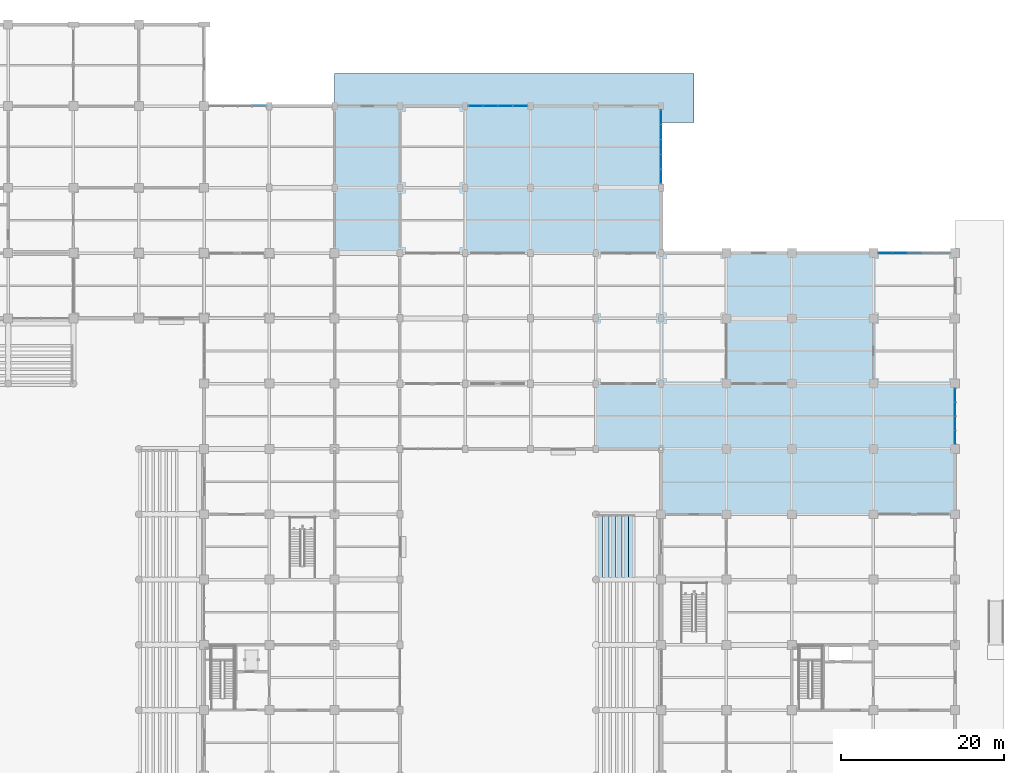
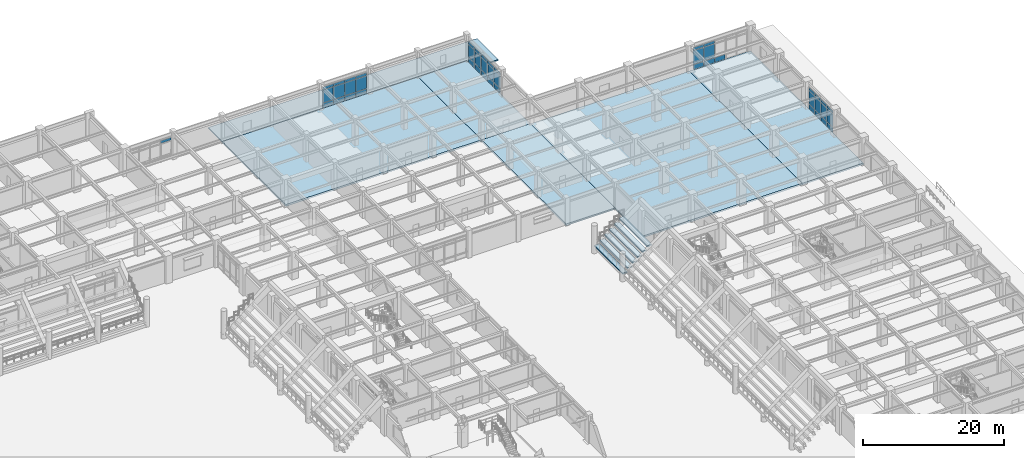
# One storey, part 71 of 125: 47 plates, 12 slabs, 5 elements without a shape of their own.
"""IFC4 building model written with IfcOpenShell, lengths in metres."""

import ifcopenshell
import ifcopenshell.guid

model = None  # the IFC model being written
_history = None  # IfcOwnerHistory: only IFC2X3 demands one
_inside = {}  # id of a spatial element -> (the spatial element, [elements in it])
_under = {}  # id of a project, library or spatial element -> (it, [spatial elements below it])
_declared = {}  # id of a project -> (the project, [libraries it declares])
_typed = {}  # id of a type object -> (the type object, [elements of that type])
_made_of = {}  # id of a material, layer set ... -> (it, [elements and type objects made of it])


def new_model(schema):
    """Start an empty IFC model of exactly this schema.

    Asked for "IFC4X3", IfcOpenShell would pick the latest addendum, in which some entities
    have other attributes; the version numbers below select the first issue.
    IFC2X3 requires an IfcOwnerHistory on every rooted entity: one is made here for all.
    """
    global model, _history
    if schema == "IFC4X3":
        model = ifcopenshell.file(schema_version=(4, 3, 0, 0))
    else:
        model = ifcopenshell.file(schema=schema)
    _inside.clear()
    _under.clear()
    _declared.clear()
    _typed.clear()
    _made_of.clear()
    _history = None
    if model.schema == "IFC2X3":
        org = make("IfcOrganization", Name="unknown")
        user = make(
            "IfcPersonAndOrganization",
            ThePerson=make("IfcPerson", FamilyName="unknown"),
            TheOrganization=org,
        )
        app = make(
            "IfcApplication",
            ApplicationDeveloper=org,
            Version="unknown",
            ApplicationFullName="unknown",
            ApplicationIdentifier="unknown",
        )
        _history = make(
            "IfcOwnerHistory",
            OwningUser=user,
            OwningApplication=app,
            ChangeAction="ADDED",
            CreationDate=0,
        )
    return model


def make(cls, **values):
    """One entity of the class cls with the attributes given. An attribute that is None is left unset."""
    return model.create_entity(
        cls, **{name: value for name, value in values.items() if value is not None}
    )


def rooted(cls, **values):
    """An entity with a GlobalId (a new one), such as an element, a storey or a relation."""
    return make(cls, GlobalId=ifcopenshell.guid.new(), OwnerHistory=_history, **values)


def si_unit(unit_type, name, prefix=None):
    """IfcSIUnit, for example si_unit("LENGTHUNIT", "METRE", prefix="MILLI")."""
    return make("IfcSIUnit", UnitType=unit_type, Prefix=prefix, Name=name)


def assignment(units):
    """IfcUnitAssignment: the units of a project."""
    return None if units is None else make("IfcUnitAssignment", Units=units)


def point(xyz):
    """IfcCartesianPoint."""
    return None if xyz is None else make("IfcCartesianPoint", Coordinates=xyz)


def direction(xyz):
    """IfcDirection."""
    return None if xyz is None else make("IfcDirection", DirectionRatios=xyz)


def frame(location, z_axis=None, x_axis=None):
    """IfcAxis2Placement3D, a coordinate frame: its origin and axes. An axis left out is left unset."""
    return make(
        "IfcAxis2Placement3D",
        Location=point(location),
        Axis=direction(z_axis),
        RefDirection=direction(x_axis),
    )


def frame_2d(location, x_axis=None):
    """IfcAxis2Placement2D, a coordinate frame in the plane: its origin and x axis."""
    return make(
        "IfcAxis2Placement2D", Location=point(location), RefDirection=direction(x_axis)
    )


def origin():
    """The frame at (0, 0, 0) with its axes left unset."""
    return frame((0.0, 0.0, 0.0))


def origin_2d():
    """The frame at (0, 0) in the plane with its x axis left unset."""
    return frame_2d((0.0, 0.0))


def place(relative_to, where):
    """IfcLocalPlacement: puts the frame where relative to a parent placement (None: the world)."""
    return make(
        "IfcLocalPlacement", PlacementRelTo=relative_to, RelativePlacement=where
    )


def context(
    kind, dimensions, precision=None, world=None, true_north=None, identifier=None
):
    """IfcGeometricRepresentationContext, for example the 3D "Model" context."""
    return make(
        "IfcGeometricRepresentationContext",
        ContextIdentifier=identifier,
        ContextType=kind,
        CoordinateSpaceDimension=dimensions,
        Precision=precision,
        WorldCoordinateSystem=world,
        TrueNorth=true_north,
    )


def subcontext(parent, identifier, kind, view, scale=None):
    """IfcGeometricRepresentationSubContext, for example "Body" below "Model"."""
    return make(
        "IfcGeometricRepresentationSubContext",
        ContextIdentifier=identifier,
        ContextType=kind,
        ParentContext=parent,
        TargetScale=scale,
        TargetView=view,
    )


def project(units=None, contexts=None):
    """IfcProject with its units and contexts."""
    return rooted(
        "IfcProject",
        Name="project",
        RepresentationContexts=contexts,
        UnitsInContext=assignment(units),
    )


def spatial(cls, under=None, at=None, **own):
    """A site, building, storey or space (cls), placed at a placement, below another one or the project."""
    s = rooted(cls, ObjectPlacement=at, **own)
    if under is not None:
        _under.setdefault(under.id(), (under, []))[1].append(s)
    return s


def polyline(points):
    """IfcPolyline through the points."""
    return make("IfcPolyline", Points=[point(p) for p in points])


def profile(cls, at=None, kind="AREA", **sizes):
    """A parametric profile (cls). Its sizes go by their IFC names, for example OverallWidth=200.0."""
    return make(cls, ProfileType=kind, Position=at, **sizes)


def rectangle(**sizes):
    """IfcRectangleProfileDef."""
    return profile("IfcRectangleProfileDef", **sizes)


def outline(outer, holes=None, kind="AREA"):
    """IfcArbitraryClosedProfileDef: a profile drawn as a closed curve; with holes, ...WithVoids."""
    if holes is None:
        return make("IfcArbitraryClosedProfileDef", ProfileType=kind, OuterCurve=outer)
    return make(
        "IfcArbitraryProfileDefWithVoids",
        ProfileType=kind,
        OuterCurve=outer,
        InnerCurves=holes,
    )


def extrude(swept, where, along, depth):
    """IfcExtrudedAreaSolid: the profile swept, set in the frame where, extruded along a direction by depth."""
    return make(
        "IfcExtrudedAreaSolid",
        SweptArea=swept,
        Position=where,
        ExtrudedDirection=direction(along),
        Depth=depth,
    )


def shape(context_of_items, identifier, shape_type, items):
    """IfcShapeRepresentation: the items that make up one representation, for example the "Body"."""
    return make(
        "IfcShapeRepresentation",
        ContextOfItems=context_of_items,
        RepresentationIdentifier=identifier,
        RepresentationType=shape_type,
        Items=items,
    )


def material(Name=None, Category=None):
    """IfcMaterial."""
    return make("IfcMaterial", Name=Name, Category=Category)


def layer(
    of_material, thickness, ventilated=None, Name=None, Category=None, Priority=None
):
    """IfcMaterialLayer: one layer of a wall or slab, of a material (None: an air gap)."""
    return make(
        "IfcMaterialLayer",
        Material=of_material,
        LayerThickness=thickness,
        IsVentilated=ventilated,
        Name=Name,
        Category=Category,
        Priority=Priority,
    )


def layer_set(layers, Name=None):
    """IfcMaterialLayerSet."""
    return make("IfcMaterialLayerSet", MaterialLayers=layers, LayerSetName=Name)


def made_of(thing, what):
    """Note that an element or type object is made of a material, layer set ...; save() writes the relation."""
    if what is not None:
        _made_of.setdefault(what.id(), (what, []))[1].append(thing)
    return thing


def type_object(cls, material=None, **own):
    """A type object (cls), such as IfcWallType, which elements share."""
    return made_of(rooted(cls, **own), material)


def element(
    cls,
    number,
    at=None,
    inside=None,
    cuts=None,
    type_object=None,
    material=None,
    context=None,
    identifier="Body",
    shape_type=None,
    held_by="IfcProductDefinitionShape",
    body=None,
    shapes=None,
    **own,
):
    """One element of the class cls, such as IfcWall. Its Tag is "e" and its number.

    at: its placement. inside: the storey or other place that contains it. cuts: it is an
    opening in that element (IfcRelVoidsElement). A single representation is given by context,
    identifier, shape_type and body (its items); several are given by shapes. held_by: the class
    of the entity that holds the representations. save() writes the other relations.
    """
    e = rooted(cls, Tag="e%d" % number, ObjectPlacement=at, **own)
    if body is not None:
        shapes = [shape(context, identifier, shape_type, body)]
    if shapes is not None:
        e.Representation = make(held_by, Representations=shapes)
    if inside is not None:
        _inside.setdefault(inside.id(), (inside, []))[1].append(e)
    if cuts is not None:
        rooted(
            "IfcRelVoidsElement", RelatingBuildingElement=cuts, RelatedOpeningElement=e
        )
    if type_object is not None:
        _typed.setdefault(type_object.id(), (type_object, []))[1].append(e)
    return made_of(e, material)


def aggregate(whole, parts):
    """IfcRelAggregates: a whole, such as a stair, and the parts it consists of."""
    return rooted("IfcRelAggregates", RelatingObject=whole, RelatedObjects=parts)


def save(model, path):
    """Write the relations noted so far, then the file.

    IfcRelAggregates (storeys below a building ...), IfcRelContainedInSpatialStructure (elements
    in a storey), IfcRelDefinesByType, IfcRelAssociatesMaterial and IfcRelDeclares: one each for
    every whole, place, type object, material and project.
    """
    for whole, parts in _under.values():
        aggregate(whole, parts)
    for where, things in _inside.values():
        rooted(
            "IfcRelContainedInSpatialStructure",
            RelatedElements=things,
            RelatingStructure=where,
        )
    for kind, things in _typed.values():
        rooted("IfcRelDefinesByType", RelatedObjects=things, RelatingType=kind)
    for what, things in _made_of.values():
        rooted("IfcRelAssociatesMaterial", RelatedObjects=things, RelatingMaterial=what)
    for by, libraries in _declared.values():
        rooted("IfcRelDeclares", RelatingContext=by, RelatedDefinitions=libraries)
    model.write(path)


model = new_model("IFC4")

# Units and contexts
model_context = context("Model", 3, precision=1e-05, world=origin(), true_north=direction((0.0, 1.0)))
body_context = subcontext(model_context, "Body", "Model", "MODEL_VIEW")
ifc_project = project(units=[si_unit("LENGTHUNIT", "METRE"), si_unit("AREAUNIT", "SQUARE_METRE"), si_unit("VOLUMEUNIT", "CUBIC_METRE"), si_unit("PLANEANGLEUNIT", "RADIAN"), si_unit("MASSUNIT", "GRAM", prefix="KILO")], contexts=[model_context])

# Site, building, storey
site_placement = place(None, origin())
site = spatial("IfcSite", under=ifc_project, at=site_placement, CompositionType="ELEMENT")
building_placement = place(site_placement, origin())
building = spatial("IfcBuilding", under=site, at=building_placement, Name="Haebicheon Civic Stadium", CompositionType="ELEMENT")
storey_placement = place(building_placement, origin())
storey = spatial("IfcBuildingStorey", under=building, at=storey_placement, Name="L01", CompositionType="ELEMENT", Elevation=0.0)

# Curtain wall, plates
ifc_material_1 = material(Name="Anodised aluminium and laminated glass", Category="aluminium")
ifc_layer_1 = layer(ifc_material_1, 0.179931640625, Name="Anodised aluminium and laminated glass")
ifc_layer_set_1 = layer_set([ifc_layer_1], Name="Anodised aluminium and laminated glass")
curtain_wall_type_1 = type_object("IfcCurtainWallType", Name="CW-7300x3710", PredefinedType="NOTDEFINED", material=ifc_layer_set_1)
curtain_wall_1_placement = place(storey_placement, origin())
curtain_wall_1 = element("IfcCurtainWall", 1, at=curtain_wall_1_placement, inside=storey, type_object=curtain_wall_type_1, material=ifc_layer_set_1, Name="L01 unitised curtain wall 022", PredefinedType="NOTDEFINED")
ifc_material_2 = material(Name="Double low-e laminated glass", Category="glass")
ifc_layer_2 = layer(ifc_material_2, 0.028076171875, Name="Double low-e laminated glass")
ifc_layer_set_2 = layer_set([ifc_layer_2], Name="Double low-e laminated glass")
plate_type_1 = type_object("IfcPlateType", Name="CWP-GLZ-28", PredefinedType="CURTAIN_PANEL", material=ifc_layer_set_2)
plate_1_placement = place(storey_placement, frame((177.281982421875, 178.0, 0.93994140625), z_axis=(0.0, 0.0, 1.0), x_axis=(1.0, 0.0, 0.0)))
plate_1 = element("IfcPlate", 2, at=plate_1_placement, type_object=plate_type_1, material=ifc_layer_set_2, Name="CW-L01-022 vision panel 1.2", PredefinedType="CURTAIN_PANEL", context=body_context, shape_type="SweptSolid", body=[
    extrude(rectangle(XDim=1.705078125, YDim=0.028076171875, at=origin_2d()), origin(), (0.0, 0.0, 1.0), 2.179931640625),
])
plate_2_placement = place(storey_placement, frame((179.087890625, 178.0, 0.93994140625), z_axis=(0.0, 0.0, 1.0), x_axis=(1.0, 0.0, 0.0)))
plate_2 = element("IfcPlate", 3, at=plate_2_placement, type_object=plate_type_1, material=ifc_layer_set_2, Name="CW-L01-022 vision panel 2.2", PredefinedType="CURTAIN_PANEL", context=body_context, shape_type="SweptSolid", body=[
    extrude(rectangle(XDim=1.7451171875, YDim=0.028076171875, at=origin_2d()), origin(), (0.0, 0.0, 1.0), 2.179931640625),
])
plate_3_placement = place(storey_placement, frame((180.912109375, 178.0, 0.93994140625), z_axis=(0.0, 0.0, 1.0), x_axis=(1.0, 0.0, 0.0)))
plate_3 = element("IfcPlate", 4, at=plate_3_placement, type_object=plate_type_1, material=ifc_layer_set_2, Name="CW-L01-022 vision panel 3.2", PredefinedType="CURTAIN_PANEL", context=body_context, shape_type="SweptSolid", body=[
    extrude(rectangle(XDim=1.7451171875, YDim=0.028076171875, at=origin_2d()), origin(), (0.0, 0.0, 1.0), 2.179931640625),
])
plate_4_placement = place(storey_placement, frame((182.718017578125, 178.0, 0.93994140625), z_axis=(0.0, 0.0, 1.0), x_axis=(1.0, 0.0, 0.0)))
plate_4 = element("IfcPlate", 5, at=plate_4_placement, type_object=plate_type_1, material=ifc_layer_set_2, Name="CW-L01-022 vision panel 4.2", PredefinedType="CURTAIN_PANEL", context=body_context, shape_type="SweptSolid", body=[
    extrude(rectangle(XDim=1.705078125, YDim=0.028076171875, at=origin_2d()), origin(), (0.0, 0.0, 1.0), 2.179931640625),
])

ifc_material_3 = material(Name="Anodised aluminium and laminated glass", Category="aluminium")
ifc_layer_3 = layer(ifc_material_3, 0.179931640625, Name="Anodised aluminium and laminated glass")
ifc_layer_set_3 = layer_set([ifc_layer_3], Name="Anodised aluminium and laminated glass")
curtain_wall_type_2 = type_object("IfcCurtainWallType", Name="CW-9100x3660", PredefinedType="NOTDEFINED", material=ifc_layer_set_3)
curtain_wall_2_placement = place(storey_placement, origin())
curtain_wall_2 = element("IfcCurtainWall", 6, at=curtain_wall_2_placement, inside=storey, type_object=curtain_wall_type_2, material=ifc_layer_set_3, Name="L01 unitised curtain wall 024", PredefinedType="NOTDEFINED")
plate_5_placement = place(storey_placement, frame((200.0, 169.3798828125, 0.93994140625), z_axis=(0.0, 0.0, 1.0), x_axis=(0.0, 1.0, 0.0)))
plate_5 = element("IfcPlate", 7, at=plate_5_placement, type_object=plate_type_1, material=ifc_layer_set_2, Name="CW-L01-024 vision panel 1.2", PredefinedType="CURTAIN_PANEL", context=body_context, shape_type="SweptSolid", body=[
    extrude(rectangle(XDim=1.699951171875, YDim=0.028076171875, at=origin_2d()), origin(), (0.0, 0.0, 1.0), 2.1298828125),
])
plate_6_placement = place(storey_placement, frame((200.0, 171.179931640625, 0.93994140625), z_axis=(0.0, 0.0, 1.0), x_axis=(0.0, 1.0, 0.0)))
plate_6 = element("IfcPlate", 8, at=plate_6_placement, type_object=plate_type_1, material=ifc_layer_set_2, Name="CW-L01-024 vision panel 2.2", PredefinedType="CURTAIN_PANEL", context=body_context, shape_type="SweptSolid", body=[
    extrude(rectangle(XDim=1.739990234375, YDim=0.028076171875, at=origin_2d()), origin(), (0.0, 0.0, 1.0), 2.1298828125),
])
plate_7_placement = place(storey_placement, frame((200.0, 173.0, 0.93994140625), z_axis=(0.0, 0.0, 1.0), x_axis=(0.0, 1.0, 0.0)))
plate_7 = element("IfcPlate", 9, at=plate_7_placement, type_object=plate_type_1, material=ifc_layer_set_2, Name="CW-L01-024 vision panel 3.2", PredefinedType="CURTAIN_PANEL", context=body_context, shape_type="SweptSolid", body=[
    extrude(rectangle(XDim=1.739990234375, YDim=0.028076171875, at=origin_2d()), origin(), (0.0, 0.0, 1.0), 2.1298828125),
])
plate_8_placement = place(storey_placement, frame((200.0, 174.820068359375, 0.93994140625), z_axis=(0.0, 0.0, 1.0), x_axis=(0.0, 1.0, 0.0)))
plate_8 = element("IfcPlate", 10, at=plate_8_placement, type_object=plate_type_1, material=ifc_layer_set_2, Name="CW-L01-024 vision panel 4.2", PredefinedType="CURTAIN_PANEL", context=body_context, shape_type="SweptSolid", body=[
    extrude(rectangle(XDim=1.739990234375, YDim=0.028076171875, at=origin_2d()), origin(), (0.0, 0.0, 1.0), 2.1298828125),
])
plate_9_placement = place(storey_placement, frame((200.0, 176.6201171875, 0.93994140625), z_axis=(0.0, 0.0, 1.0), x_axis=(0.0, 1.0, 0.0)))
plate_9 = element("IfcPlate", 11, at=plate_9_placement, type_object=plate_type_1, material=ifc_layer_set_2, Name="CW-L01-024 vision panel 5.2", PredefinedType="CURTAIN_PANEL", context=body_context, shape_type="SweptSolid", body=[
    extrude(rectangle(XDim=1.699951171875, YDim=0.028076171875, at=origin_2d()), origin(), (0.0, 0.0, 1.0), 2.1298828125),
])

ifc_material_4 = material(Name="Anodised aluminium and laminated glass", Category="aluminium")
ifc_layer_4 = layer(ifc_material_4, 0.179931640625, Name="Anodised aluminium and laminated glass")
ifc_layer_set_4 = layer_set([ifc_layer_4], Name="Anodised aluminium and laminated glass")
curtain_wall_type_3 = type_object("IfcCurtainWallType", Name="CW-6900x3810", PredefinedType="NOTDEFINED", material=ifc_layer_set_4)
curtain_wall_3_placement = place(storey_placement, origin())
curtain_wall_3 = element("IfcCurtainWall", 12, at=curtain_wall_3_placement, inside=storey, type_object=curtain_wall_type_3, material=ifc_layer_set_4, Name="L01 unitised curtain wall 028", PredefinedType="NOTDEFINED")
plate_10_placement = place(storey_placement, frame((236.0, 137.431884765625, 0.93994140625), z_axis=(0.0, 0.0, 1.0), x_axis=(0.0, 1.0, 0.0)))
plate_10 = element("IfcPlate", 13, at=plate_10_placement, type_object=plate_type_1, material=ifc_layer_set_2, Name="CW-L01-028 vision panel 1.2", PredefinedType="CURTAIN_PANEL", context=body_context, shape_type="SweptSolid", body=[
    extrude(rectangle(XDim=1.60498046875, YDim=0.028076171875, at=origin_2d()), origin(), (0.0, 0.0, 1.0), 2.280029296875),
])
plate_11_placement = place(storey_placement, frame((236.0, 139.137939453125, 0.93994140625), z_axis=(0.0, 0.0, 1.0), x_axis=(0.0, 1.0, 0.0)))
plate_11 = element("IfcPlate", 14, at=plate_11_placement, type_object=plate_type_1, material=ifc_layer_set_2, Name="CW-L01-028 vision panel 2.2", PredefinedType="CURTAIN_PANEL", context=body_context, shape_type="SweptSolid", body=[
    extrude(rectangle(XDim=1.64501953125, YDim=0.028076171875, at=origin_2d()), origin(), (0.0, 0.0, 1.0), 2.280029296875),
])
plate_12_placement = place(storey_placement, frame((236.0, 140.862060546875, 0.93994140625), z_axis=(0.0, 0.0, 1.0), x_axis=(0.0, 1.0, 0.0)))
plate_12 = element("IfcPlate", 15, at=plate_12_placement, type_object=plate_type_1, material=ifc_layer_set_2, Name="CW-L01-028 vision panel 3.2", PredefinedType="CURTAIN_PANEL", context=body_context, shape_type="SweptSolid", body=[
    extrude(rectangle(XDim=1.64501953125, YDim=0.028076171875, at=origin_2d()), origin(), (0.0, 0.0, 1.0), 2.280029296875),
])
plate_13_placement = place(storey_placement, frame((236.0, 142.568115234375, 0.93994140625), z_axis=(0.0, 0.0, 1.0), x_axis=(0.0, 1.0, 0.0)))
plate_13 = element("IfcPlate", 16, at=plate_13_placement, type_object=plate_type_1, material=ifc_layer_set_2, Name="CW-L01-028 vision panel 4.2", PredefinedType="CURTAIN_PANEL", context=body_context, shape_type="SweptSolid", body=[
    extrude(rectangle(XDim=1.60498046875, YDim=0.028076171875, at=origin_2d()), origin(), (0.0, 0.0, 1.0), 2.280029296875),
])

ifc_material_5 = material(Name="Anodised aluminium and laminated glass", Category="aluminium")
ifc_layer_5 = layer(ifc_material_5, 0.179931640625, Name="Anodised aluminium and laminated glass")
ifc_layer_set_5 = layer_set([ifc_layer_5], Name="Anodised aluminium and laminated glass")
curtain_wall_type_4 = type_object("IfcCurtainWallType", Name="CW-8900x3870", PredefinedType="NOTDEFINED", material=ifc_layer_set_5)
curtain_wall_4_placement = place(storey_placement, origin())
curtain_wall_4 = element("IfcCurtainWall", 17, at=curtain_wall_4_placement, inside=storey, type_object=curtain_wall_type_4, material=ifc_layer_set_5, Name="L01 unitised curtain wall 029", PredefinedType="NOTDEFINED")
plate_14_placement = place(storey_placement, frame((227.4599609375, 160.0, 0.93994140625), z_axis=(0.0, 0.0, 1.0), x_axis=(1.0, 0.0, 0.0)))
plate_14 = element("IfcPlate", 18, at=plate_14_placement, type_object=plate_type_1, material=ifc_layer_set_2, Name="CW-L01-029 vision panel 1.2", PredefinedType="CURTAIN_PANEL", context=body_context, shape_type="SweptSolid", body=[
    extrude(rectangle(XDim=1.659912109375, YDim=0.028076171875, at=origin_2d()), origin(), (0.0, 0.0, 1.0), 2.340087890625),
])
plate_15_placement = place(storey_placement, frame((229.219970703125, 160.0, 0.93994140625), z_axis=(0.0, 0.0, 1.0), x_axis=(1.0, 0.0, 0.0)))
plate_15 = element("IfcPlate", 19, at=plate_15_placement, type_object=plate_type_1, material=ifc_layer_set_2, Name="CW-L01-029 vision panel 2.2", PredefinedType="CURTAIN_PANEL", context=body_context, shape_type="SweptSolid", body=[
    extrude(rectangle(XDim=1.699951171875, YDim=0.028076171875, at=origin_2d()), origin(), (0.0, 0.0, 1.0), 2.340087890625),
])

# Curtain wall, plate
ifc_material_6 = material(Name="Anodised aluminium and laminated glass", Category="aluminium")
ifc_layer_6 = layer(ifc_material_6, 0.179931640625, Name="Anodised aluminium and laminated glass")
ifc_layer_set_6 = layer_set([ifc_layer_6], Name="Anodised aluminium and laminated glass")
curtain_wall_type_5 = type_object("IfcCurtainWallType", Name="CW-7100x3710", PredefinedType="NOTDEFINED", material=ifc_layer_set_6)
curtain_wall_5_placement = place(storey_placement, origin())
curtain_wall_5 = element("IfcCurtainWall", 20, at=curtain_wall_5_placement, inside=storey, type_object=curtain_wall_type_5, material=ifc_layer_set_6, Name="L01 unitised curtain wall 017", PredefinedType="NOTDEFINED")
ifc_material_7 = material(Name="Anodised aluminium 6063-T6", Category="aluminium")
ifc_layer_7 = layer(ifc_material_7, 0.0439453125, Name="Anodised aluminium 6063-T6")
ifc_layer_set_7 = layer_set([ifc_layer_7], Name="Anodised aluminium 6063-T6")
plate_type_2 = type_object("IfcPlateType", Name="CWP-SPD-44", PredefinedType="CURTAIN_PANEL", material=ifc_layer_set_7)
plate_16_placement = place(storey_placement, frame((150.741943359375, 178.0, 3.2001953125), z_axis=(0.0, 0.0, 1.0), x_axis=(1.0, 0.0, 0.0)))
plate_16 = element("IfcPlate", 21, at=plate_16_placement, type_object=plate_type_2, material=ifc_layer_set_7, Name="CW-L01-017 spandrel panel 4.3", PredefinedType="CURTAIN_PANEL", context=body_context, shape_type="SweptSolid", body=[
    extrude(rectangle(XDim=1.655029296875, YDim=0.0439453125, at=origin_2d()), origin(), (0.0, 0.0, 1.0), 0.469970703125),
])
aggregate(curtain_wall_5, [plate_16])

# Plate
plate_17_placement = place(storey_placement, frame((177.281982421875, 178.0, 0.0400390625), z_axis=(0.0, 0.0, 1.0), x_axis=(1.0, 0.0, 0.0)))
plate_17 = element("IfcPlate", 22, at=plate_17_placement, type_object=plate_type_2, material=ifc_layer_set_7, Name="CW-L01-022 spandrel panel 1.1", PredefinedType="CURTAIN_PANEL", context=body_context, shape_type="SweptSolid", body=[
    extrude(rectangle(XDim=1.705078125, YDim=0.0439453125, at=origin_2d()), origin(), (0.0, 0.0, 1.0), 0.820068359375),
])

plate_18_placement = place(storey_placement, frame((177.281982421875, 178.0, 3.2001953125), z_axis=(0.0, 0.0, 1.0), x_axis=(1.0, 0.0, 0.0)))
plate_18 = element("IfcPlate", 23, at=plate_18_placement, type_object=plate_type_2, material=ifc_layer_set_7, Name="CW-L01-022 spandrel panel 1.3", PredefinedType="CURTAIN_PANEL", context=body_context, shape_type="SweptSolid", body=[
    extrude(rectangle(XDim=1.705078125, YDim=0.0439453125, at=origin_2d()), origin(), (0.0, 0.0, 1.0), 0.469970703125),
])

plate_19_placement = place(storey_placement, frame((179.087890625, 178.0, 0.0400390625), z_axis=(0.0, 0.0, 1.0), x_axis=(1.0, 0.0, 0.0)))
plate_19 = element("IfcPlate", 24, at=plate_19_placement, type_object=plate_type_2, material=ifc_layer_set_7, Name="CW-L01-022 spandrel panel 2.1", PredefinedType="CURTAIN_PANEL", context=body_context, shape_type="SweptSolid", body=[
    extrude(rectangle(XDim=1.7451171875, YDim=0.0439453125, at=origin_2d()), origin(), (0.0, 0.0, 1.0), 0.820068359375),
])

plate_20_placement = place(storey_placement, frame((179.087890625, 178.0, 3.2001953125), z_axis=(0.0, 0.0, 1.0), x_axis=(1.0, 0.0, 0.0)))
plate_20 = element("IfcPlate", 25, at=plate_20_placement, type_object=plate_type_2, material=ifc_layer_set_7, Name="CW-L01-022 spandrel panel 2.3", PredefinedType="CURTAIN_PANEL", context=body_context, shape_type="SweptSolid", body=[
    extrude(rectangle(XDim=1.7451171875, YDim=0.0439453125, at=origin_2d()), origin(), (0.0, 0.0, 1.0), 0.469970703125),
])

plate_21_placement = place(storey_placement, frame((180.912109375, 178.0, 0.0400390625), z_axis=(0.0, 0.0, 1.0), x_axis=(1.0, 0.0, 0.0)))
plate_21 = element("IfcPlate", 26, at=plate_21_placement, type_object=plate_type_2, material=ifc_layer_set_7, Name="CW-L01-022 spandrel panel 3.1", PredefinedType="CURTAIN_PANEL", context=body_context, shape_type="SweptSolid", body=[
    extrude(rectangle(XDim=1.7451171875, YDim=0.0439453125, at=origin_2d()), origin(), (0.0, 0.0, 1.0), 0.820068359375),
])

plate_22_placement = place(storey_placement, frame((180.912109375, 178.0, 3.2001953125), z_axis=(0.0, 0.0, 1.0), x_axis=(1.0, 0.0, 0.0)))
plate_22 = element("IfcPlate", 27, at=plate_22_placement, type_object=plate_type_2, material=ifc_layer_set_7, Name="CW-L01-022 spandrel panel 3.3", PredefinedType="CURTAIN_PANEL", context=body_context, shape_type="SweptSolid", body=[
    extrude(rectangle(XDim=1.7451171875, YDim=0.0439453125, at=origin_2d()), origin(), (0.0, 0.0, 1.0), 0.469970703125),
])

plate_23_placement = place(storey_placement, frame((182.718017578125, 178.0, 0.0400390625), z_axis=(0.0, 0.0, 1.0), x_axis=(1.0, 0.0, 0.0)))
plate_23 = element("IfcPlate", 28, at=plate_23_placement, type_object=plate_type_2, material=ifc_layer_set_7, Name="CW-L01-022 spandrel panel 4.1", PredefinedType="CURTAIN_PANEL", context=body_context, shape_type="SweptSolid", body=[
    extrude(rectangle(XDim=1.705078125, YDim=0.0439453125, at=origin_2d()), origin(), (0.0, 0.0, 1.0), 0.820068359375),
])

plate_24_placement = place(storey_placement, frame((182.718017578125, 178.0, 3.2001953125), z_axis=(0.0, 0.0, 1.0), x_axis=(1.0, 0.0, 0.0)))
plate_24 = element("IfcPlate", 29, at=plate_24_placement, type_object=plate_type_2, material=ifc_layer_set_7, Name="CW-L01-022 spandrel panel 4.3", PredefinedType="CURTAIN_PANEL", context=body_context, shape_type="SweptSolid", body=[
    extrude(rectangle(XDim=1.705078125, YDim=0.0439453125, at=origin_2d()), origin(), (0.0, 0.0, 1.0), 0.469970703125),
])

aggregate(curtain_wall_1, [plate_17, plate_1, plate_18, plate_19, plate_2, plate_20, plate_21, plate_3, plate_22, plate_23, plate_4, plate_24])

plate_25_placement = place(storey_placement, frame((200.0, 169.3798828125, 0.0400390625), z_axis=(0.0, 0.0, 1.0), x_axis=(0.0, 1.0, 0.0)))
plate_25 = element("IfcPlate", 30, at=plate_25_placement, type_object=plate_type_2, material=ifc_layer_set_7, Name="CW-L01-024 spandrel panel 1.1", PredefinedType="CURTAIN_PANEL", context=body_context, shape_type="SweptSolid", body=[
    extrude(rectangle(XDim=1.699951171875, YDim=0.0439453125, at=origin_2d()), origin(), (0.0, 0.0, 1.0), 0.820068359375),
])

plate_26_placement = place(storey_placement, frame((200.0, 169.3798828125, 3.14990234375), z_axis=(0.0, 0.0, 1.0), x_axis=(0.0, 1.0, 0.0)))
plate_26 = element("IfcPlate", 31, at=plate_26_placement, type_object=plate_type_2, material=ifc_layer_set_7, Name="CW-L01-024 spandrel panel 1.3", PredefinedType="CURTAIN_PANEL", context=body_context, shape_type="SweptSolid", body=[
    extrude(rectangle(XDim=1.699951171875, YDim=0.0439453125, at=origin_2d()), origin(), (0.0, 0.0, 1.0), 0.469970703125),
])

plate_27_placement = place(storey_placement, frame((200.0, 171.179931640625, 0.0400390625), z_axis=(0.0, 0.0, 1.0), x_axis=(0.0, 1.0, 0.0)))
plate_27 = element("IfcPlate", 32, at=plate_27_placement, type_object=plate_type_2, material=ifc_layer_set_7, Name="CW-L01-024 spandrel panel 2.1", PredefinedType="CURTAIN_PANEL", context=body_context, shape_type="SweptSolid", body=[
    extrude(rectangle(XDim=1.739990234375, YDim=0.0439453125, at=origin_2d()), origin(), (0.0, 0.0, 1.0), 0.820068359375),
])

plate_28_placement = place(storey_placement, frame((200.0, 171.179931640625, 3.14990234375), z_axis=(0.0, 0.0, 1.0), x_axis=(0.0, 1.0, 0.0)))
plate_28 = element("IfcPlate", 33, at=plate_28_placement, type_object=plate_type_2, material=ifc_layer_set_7, Name="CW-L01-024 spandrel panel 2.3", PredefinedType="CURTAIN_PANEL", context=body_context, shape_type="SweptSolid", body=[
    extrude(rectangle(XDim=1.739990234375, YDim=0.0439453125, at=origin_2d()), origin(), (0.0, 0.0, 1.0), 0.469970703125),
])

plate_29_placement = place(storey_placement, frame((200.0, 173.0, 0.0400390625), z_axis=(0.0, 0.0, 1.0), x_axis=(0.0, 1.0, 0.0)))
plate_29 = element("IfcPlate", 34, at=plate_29_placement, type_object=plate_type_2, material=ifc_layer_set_7, Name="CW-L01-024 spandrel panel 3.1", PredefinedType="CURTAIN_PANEL", context=body_context, shape_type="SweptSolid", body=[
    extrude(rectangle(XDim=1.739990234375, YDim=0.0439453125, at=origin_2d()), origin(), (0.0, 0.0, 1.0), 0.820068359375),
])

plate_30_placement = place(storey_placement, frame((200.0, 173.0, 3.14990234375), z_axis=(0.0, 0.0, 1.0), x_axis=(0.0, 1.0, 0.0)))
plate_30 = element("IfcPlate", 35, at=plate_30_placement, type_object=plate_type_2, material=ifc_layer_set_7, Name="CW-L01-024 spandrel panel 3.3", PredefinedType="CURTAIN_PANEL", context=body_context, shape_type="SweptSolid", body=[
    extrude(rectangle(XDim=1.739990234375, YDim=0.0439453125, at=origin_2d()), origin(), (0.0, 0.0, 1.0), 0.469970703125),
])

plate_31_placement = place(storey_placement, frame((200.0, 174.820068359375, 0.0400390625), z_axis=(0.0, 0.0, 1.0), x_axis=(0.0, 1.0, 0.0)))
plate_31 = element("IfcPlate", 36, at=plate_31_placement, type_object=plate_type_2, material=ifc_layer_set_7, Name="CW-L01-024 spandrel panel 4.1", PredefinedType="CURTAIN_PANEL", context=body_context, shape_type="SweptSolid", body=[
    extrude(rectangle(XDim=1.739990234375, YDim=0.0439453125, at=origin_2d()), origin(), (0.0, 0.0, 1.0), 0.820068359375),
])

plate_32_placement = place(storey_placement, frame((200.0, 174.820068359375, 3.14990234375), z_axis=(0.0, 0.0, 1.0), x_axis=(0.0, 1.0, 0.0)))
plate_32 = element("IfcPlate", 37, at=plate_32_placement, type_object=plate_type_2, material=ifc_layer_set_7, Name="CW-L01-024 spandrel panel 4.3", PredefinedType="CURTAIN_PANEL", context=body_context, shape_type="SweptSolid", body=[
    extrude(rectangle(XDim=1.739990234375, YDim=0.0439453125, at=origin_2d()), origin(), (0.0, 0.0, 1.0), 0.469970703125),
])

plate_33_placement = place(storey_placement, frame((200.0, 176.6201171875, 0.0400390625), z_axis=(0.0, 0.0, 1.0), x_axis=(0.0, 1.0, 0.0)))
plate_33 = element("IfcPlate", 38, at=plate_33_placement, type_object=plate_type_2, material=ifc_layer_set_7, Name="CW-L01-024 spandrel panel 5.1", PredefinedType="CURTAIN_PANEL", context=body_context, shape_type="SweptSolid", body=[
    extrude(rectangle(XDim=1.699951171875, YDim=0.0439453125, at=origin_2d()), origin(), (0.0, 0.0, 1.0), 0.820068359375),
])

plate_34_placement = place(storey_placement, frame((200.0, 176.6201171875, 3.14990234375), z_axis=(0.0, 0.0, 1.0), x_axis=(0.0, 1.0, 0.0)))
plate_34 = element("IfcPlate", 39, at=plate_34_placement, type_object=plate_type_2, material=ifc_layer_set_7, Name="CW-L01-024 spandrel panel 5.3", PredefinedType="CURTAIN_PANEL", context=body_context, shape_type="SweptSolid", body=[
    extrude(rectangle(XDim=1.699951171875, YDim=0.0439453125, at=origin_2d()), origin(), (0.0, 0.0, 1.0), 0.469970703125),
])

aggregate(curtain_wall_2, [plate_25, plate_5, plate_26, plate_27, plate_6, plate_28, plate_29, plate_7, plate_30, plate_31, plate_8, plate_32, plate_33, plate_9, plate_34])

plate_35_placement = place(storey_placement, frame((236.0, 137.431884765625, 0.0400390625), z_axis=(0.0, 0.0, 1.0), x_axis=(0.0, 1.0, 0.0)))
plate_35 = element("IfcPlate", 40, at=plate_35_placement, type_object=plate_type_2, material=ifc_layer_set_7, Name="CW-L01-028 spandrel panel 1.1", PredefinedType="CURTAIN_PANEL", context=body_context, shape_type="SweptSolid", body=[
    extrude(rectangle(XDim=1.60498046875, YDim=0.0439453125, at=origin_2d()), origin(), (0.0, 0.0, 1.0), 0.820068359375),
])

plate_36_placement = place(storey_placement, frame((236.0, 137.431884765625, 3.2998046875), z_axis=(0.0, 0.0, 1.0), x_axis=(0.0, 1.0, 0.0)))
plate_36 = element("IfcPlate", 41, at=plate_36_placement, type_object=plate_type_2, material=ifc_layer_set_7, Name="CW-L01-028 spandrel panel 1.3", PredefinedType="CURTAIN_PANEL", context=body_context, shape_type="SweptSolid", body=[
    extrude(rectangle(XDim=1.60498046875, YDim=0.0439453125, at=origin_2d()), origin(), (0.0, 0.0, 1.0), 0.469970703125),
])

plate_37_placement = place(storey_placement, frame((236.0, 139.137939453125, 0.0400390625), z_axis=(0.0, 0.0, 1.0), x_axis=(0.0, 1.0, 0.0)))
plate_37 = element("IfcPlate", 42, at=plate_37_placement, type_object=plate_type_2, material=ifc_layer_set_7, Name="CW-L01-028 spandrel panel 2.1", PredefinedType="CURTAIN_PANEL", context=body_context, shape_type="SweptSolid", body=[
    extrude(rectangle(XDim=1.64501953125, YDim=0.0439453125, at=origin_2d()), origin(), (0.0, 0.0, 1.0), 0.820068359375),
])

plate_38_placement = place(storey_placement, frame((236.0, 139.137939453125, 3.2998046875), z_axis=(0.0, 0.0, 1.0), x_axis=(0.0, 1.0, 0.0)))
plate_38 = element("IfcPlate", 43, at=plate_38_placement, type_object=plate_type_2, material=ifc_layer_set_7, Name="CW-L01-028 spandrel panel 2.3", PredefinedType="CURTAIN_PANEL", context=body_context, shape_type="SweptSolid", body=[
    extrude(rectangle(XDim=1.64501953125, YDim=0.0439453125, at=origin_2d()), origin(), (0.0, 0.0, 1.0), 0.469970703125),
])

plate_39_placement = place(storey_placement, frame((236.0, 140.862060546875, 0.0400390625), z_axis=(0.0, 0.0, 1.0), x_axis=(0.0, 1.0, 0.0)))
plate_39 = element("IfcPlate", 44, at=plate_39_placement, type_object=plate_type_2, material=ifc_layer_set_7, Name="CW-L01-028 spandrel panel 3.1", PredefinedType="CURTAIN_PANEL", context=body_context, shape_type="SweptSolid", body=[
    extrude(rectangle(XDim=1.64501953125, YDim=0.0439453125, at=origin_2d()), origin(), (0.0, 0.0, 1.0), 0.820068359375),
])

plate_40_placement = place(storey_placement, frame((236.0, 140.862060546875, 3.2998046875), z_axis=(0.0, 0.0, 1.0), x_axis=(0.0, 1.0, 0.0)))
plate_40 = element("IfcPlate", 45, at=plate_40_placement, type_object=plate_type_2, material=ifc_layer_set_7, Name="CW-L01-028 spandrel panel 3.3", PredefinedType="CURTAIN_PANEL", context=body_context, shape_type="SweptSolid", body=[
    extrude(rectangle(XDim=1.64501953125, YDim=0.0439453125, at=origin_2d()), origin(), (0.0, 0.0, 1.0), 0.469970703125),
])

plate_41_placement = place(storey_placement, frame((236.0, 142.568115234375, 0.0400390625), z_axis=(0.0, 0.0, 1.0), x_axis=(0.0, 1.0, 0.0)))
plate_41 = element("IfcPlate", 46, at=plate_41_placement, type_object=plate_type_2, material=ifc_layer_set_7, Name="CW-L01-028 spandrel panel 4.1", PredefinedType="CURTAIN_PANEL", context=body_context, shape_type="SweptSolid", body=[
    extrude(rectangle(XDim=1.60498046875, YDim=0.0439453125, at=origin_2d()), origin(), (0.0, 0.0, 1.0), 0.820068359375),
])

plate_42_placement = place(storey_placement, frame((236.0, 142.568115234375, 3.2998046875), z_axis=(0.0, 0.0, 1.0), x_axis=(0.0, 1.0, 0.0)))
plate_42 = element("IfcPlate", 47, at=plate_42_placement, type_object=plate_type_2, material=ifc_layer_set_7, Name="CW-L01-028 spandrel panel 4.3", PredefinedType="CURTAIN_PANEL", context=body_context, shape_type="SweptSolid", body=[
    extrude(rectangle(XDim=1.60498046875, YDim=0.0439453125, at=origin_2d()), origin(), (0.0, 0.0, 1.0), 0.469970703125),
])

aggregate(curtain_wall_3, [plate_35, plate_10, plate_36, plate_37, plate_11, plate_38, plate_39, plate_12, plate_40, plate_41, plate_13, plate_42])

plate_43_placement = place(storey_placement, frame((227.4599609375, 160.0, 0.0400390625), z_axis=(0.0, 0.0, 1.0), x_axis=(1.0, 0.0, 0.0)))
plate_43 = element("IfcPlate", 48, at=plate_43_placement, type_object=plate_type_2, material=ifc_layer_set_7, Name="CW-L01-029 spandrel panel 1.1", PredefinedType="CURTAIN_PANEL", context=body_context, shape_type="SweptSolid", body=[
    extrude(rectangle(XDim=1.659912109375, YDim=0.0439453125, at=origin_2d()), origin(), (0.0, 0.0, 1.0), 0.820068359375),
])

plate_44_placement = place(storey_placement, frame((227.4599609375, 160.0, 3.35986328125), z_axis=(0.0, 0.0, 1.0), x_axis=(1.0, 0.0, 0.0)))
plate_44 = element("IfcPlate", 49, at=plate_44_placement, type_object=plate_type_2, material=ifc_layer_set_7, Name="CW-L01-029 spandrel panel 1.3", PredefinedType="CURTAIN_PANEL", context=body_context, shape_type="SweptSolid", body=[
    extrude(rectangle(XDim=1.659912109375, YDim=0.0439453125, at=origin_2d()), origin(), (0.0, 0.0, 1.0), 0.469970703125),
])

plate_45_placement = place(storey_placement, frame((229.219970703125, 160.0, 0.0400390625), z_axis=(0.0, 0.0, 1.0), x_axis=(1.0, 0.0, 0.0)))
plate_45 = element("IfcPlate", 50, at=plate_45_placement, type_object=plate_type_2, material=ifc_layer_set_7, Name="CW-L01-029 spandrel panel 2.1", PredefinedType="CURTAIN_PANEL", context=body_context, shape_type="SweptSolid", body=[
    extrude(rectangle(XDim=1.699951171875, YDim=0.0439453125, at=origin_2d()), origin(), (0.0, 0.0, 1.0), 0.820068359375),
])

plate_46_placement = place(storey_placement, frame((229.219970703125, 160.0, 3.35986328125), z_axis=(0.0, 0.0, 1.0), x_axis=(1.0, 0.0, 0.0)))
plate_46 = element("IfcPlate", 51, at=plate_46_placement, type_object=plate_type_2, material=ifc_layer_set_7, Name="CW-L01-029 spandrel panel 2.3", PredefinedType="CURTAIN_PANEL", context=body_context, shape_type="SweptSolid", body=[
    extrude(rectangle(XDim=1.699951171875, YDim=0.0439453125, at=origin_2d()), origin(), (0.0, 0.0, 1.0), 0.469970703125),
])

plate_47_placement = place(storey_placement, frame((231.0, 160.0, 0.0400390625), z_axis=(0.0, 0.0, 1.0), x_axis=(1.0, 0.0, 0.0)))
plate_47 = element("IfcPlate", 52, at=plate_47_placement, type_object=plate_type_2, material=ifc_layer_set_7, Name="CW-L01-029 spandrel panel 3.1", PredefinedType="CURTAIN_PANEL", context=body_context, shape_type="SweptSolid", body=[
    extrude(rectangle(XDim=1.699951171875, YDim=0.0439453125, at=origin_2d()), origin(), (0.0, 0.0, 1.0), 0.820068359375),
])

aggregate(curtain_wall_4, [plate_43, plate_14, plate_44, plate_45, plate_15, plate_46, plate_47])

# Slabs
ifc_material_8 = material(Name="Concrete C40/50", Category="concrete")
ifc_layer_8 = layer(ifc_material_8, 0.300048828125, Name="Concrete C40/50")
ifc_layer_set_8 = layer_set([ifc_layer_8], Name="Concrete C40/50")
slab_type_1 = type_object("IfcSlabType", Name="SLB-FLR-300", PredefinedType="FLOOR", material=ifc_layer_set_8)
slab_1_placement = place(storey_placement, frame((0.0, 0.0, -0.300048828125)))
element("IfcSlab", 53, at=slab_1_placement, inside=storey, type_object=slab_type_1, material=ifc_layer_set_8, Name="L01 V3 structural slab 5.1", PredefinedType="FLOOR", context=body_context, shape_type="SweptSolid", body=[
    extrude(outline(polyline([(200.0, 144.0), (200.0, 152.0), (200.0, 160.0), (208.0, 160.0), (216.0, 160.0), (226.0, 160.0), (226.0, 152.0), (226.0, 144.0), (226.0, 136.0), (226.0, 128.0), (216.0, 128.0), (208.0, 128.0), (200.0, 128.0), (200.0, 136.0), (200.0, 144.0)])), origin(), (0.0, 0.0, 1.0), 0.300048828125),
])
slab_2_placement = place(storey_placement, frame((0.0, 0.0, -0.300048828125)))
element("IfcSlab", 54, at=slab_2_placement, inside=storey, type_object=slab_type_1, material=ifc_layer_set_8, Name="L01 V3 structural slab 10.1", PredefinedType="FLOOR", context=body_context, shape_type="SweptSolid", body=[
    extrude(outline(polyline([(226.0, 128.0), (226.0, 136.0), (226.0, 144.0), (226.0, 152.0), (226.0, 160.0), (236.0, 160.0), (236.0, 152.0), (236.0, 144.0), (236.0, 136.0), (236.0, 128.0), (226.0, 128.0)])), origin(), (0.0, 0.0, 1.0), 0.300048828125),
])
slab_3_placement = place(storey_placement, frame((0.0, 0.0, -0.300048828125)))
element("IfcSlab", 55, at=slab_3_placement, inside=storey, type_object=slab_type_1, material=ifc_layer_set_8, Name="L01 V4 structural slab 9.1", PredefinedType="FLOOR", context=body_context, shape_type="SweptSolid", body=[
    extrude(outline(polyline([(192.0, 160.0), (184.0, 160.0), (176.0, 160.0), (168.0, 160.0), (160.0, 160.0), (160.0, 168.0), (160.0, 178.0), (168.0, 178.0), (176.0, 178.0), (184.0, 178.0), (192.0, 178.0), (192.0, 168.0), (192.0, 160.0)])), origin(), (0.0, 0.0, 1.0), 0.300048828125),
])
slab_4_placement = place(storey_placement, frame((0.0, 0.0, -0.300048828125)))
element("IfcSlab", 56, at=slab_4_placement, inside=storey, type_object=slab_type_1, material=ifc_layer_set_8, Name="L01 V4 structural slab 12.1", PredefinedType="FLOOR", context=body_context, shape_type="SweptSolid", body=[
    extrude(outline(polyline([(200.0, 136.0), (192.0, 136.0), (192.0, 144.0), (192.0, 152.0), (192.0, 160.0), (200.0, 160.0), (200.0, 152.0), (200.0, 144.0), (200.0, 136.0)])), origin(), (0.0, 0.0, 1.0), 0.300048828125),
])
slab_5_placement = place(storey_placement, frame((0.0, 0.0, -0.300048828125)))
element("IfcSlab", 57, at=slab_5_placement, inside=storey, type_object=slab_type_1, material=ifc_layer_set_8, Name="L01 V4 structural slab 13.1", PredefinedType="FLOOR", context=body_context, shape_type="SweptSolid", body=[
    extrude(outline(polyline([(200.0, 160.0), (192.0, 160.0), (192.0, 168.0), (192.0, 178.0), (200.0, 178.0), (200.0, 168.0), (200.0, 160.0)])), origin(), (0.0, 0.0, 1.0), 0.300048828125),
])
ifc_material_9 = material(Name="Precast concrete C35/45", Category="concrete")
ifc_layer_9 = layer(ifc_material_9, 0.199951171875, Name="Precast concrete C35/45")
ifc_layer_set_9 = layer_set([ifc_layer_9], Name="Precast concrete C35/45")
slab_type_2 = type_object("IfcSlabType", Name="SLB-PAV-200", PredefinedType="BASESLAB", material=ifc_layer_set_9)
slab_6_placement = place(storey_placement, frame((0.0, 0.0, -0.199951171875)))
element("IfcSlab", 58, at=slab_6_placement, inside=storey, type_object=slab_type_2, material=ifc_layer_set_9, Name="Exterior plaza paving apron APR-NORTH-EAST", PredefinedType="BASESLAB", context=body_context, shape_type="SweptSolid", body=[
    extrude(outline(polyline([(160.0, 182.0), (204.0, 182.0), (204.0, 176.0), (200.0048828125, 176.0), (200.0048828125, 178.0048828125), (160.0, 178.0048828125), (160.0, 182.0)])), origin(), (0.0, 0.0, 1.0), 0.199951171875),
])
ifc_material_10 = material(Name="Precast concrete C40/50", Category="concrete")
ifc_layer_10 = layer(ifc_material_10, 0.239990234375, Name="Precast concrete C40/50")
ifc_layer_set_10 = layer_set([ifc_layer_10], Name="Precast concrete C40/50")
slab_type_3 = type_object("IfcSlabType", Name="SLB-TIER-240", PredefinedType="USERDEFINED", material=ifc_layer_set_10)
slab_7_placement = place(storey_placement, frame((0.0, 0.0, 0.9599609375)))
element("IfcSlab", 59, at=slab_7_placement, inside=storey, type_object=slab_type_3, material=ifc_layer_set_10, Name="TIER-C-L precast seating tier bay 9 row-band 1", ObjectType="SEATING TIER", PredefinedType="USERDEFINED", context=body_context, shape_type="SweptSolid", body=[
    extrude(outline(polyline([(192.0, 120.0), (192.800048828125, 120.0), (192.800048828125, 128.0), (192.0, 128.0), (192.0, 120.0)])), origin(), (0.0, 0.0, 1.0), 0.239990234375),
])
slab_8_placement = place(storey_placement, frame((0.0, 0.0, 1.626953125)))
element("IfcSlab", 60, at=slab_8_placement, inside=storey, type_object=slab_type_3, material=ifc_layer_set_10, Name="TIER-C-L precast seating tier bay 9 row-band 2", ObjectType="SEATING TIER", PredefinedType="USERDEFINED", context=body_context, shape_type="SweptSolid", body=[
    extrude(outline(polyline([(192.800048828125, 120.0), (193.60009765625, 120.0), (193.60009765625, 128.0), (192.800048828125, 128.0), (192.800048828125, 120.0)])), origin(), (0.0, 0.0, 1.0), 0.239990234375),
])
slab_9_placement = place(storey_placement, frame((0.0, 0.0, 2.29296875)))
element("IfcSlab", 61, at=slab_9_placement, inside=storey, type_object=slab_type_3, material=ifc_layer_set_10, Name="TIER-C-L precast seating tier bay 9 row-band 3", ObjectType="SEATING TIER", PredefinedType="USERDEFINED", context=body_context, shape_type="SweptSolid", body=[
    extrude(outline(polyline([(193.60009765625, 120.0), (194.39990234375, 120.0), (194.39990234375, 128.0), (193.60009765625, 128.0), (193.60009765625, 120.0)])), origin(), (0.0, 0.0, 1.0), 0.239990234375),
])
slab_10_placement = place(storey_placement, frame((0.0, 0.0, 2.9599609375)))
element("IfcSlab", 62, at=slab_10_placement, inside=storey, type_object=slab_type_3, material=ifc_layer_set_10, Name="TIER-C-L precast seating tier bay 9 row-band 4", ObjectType="SEATING TIER", PredefinedType="USERDEFINED", context=body_context, shape_type="SweptSolid", body=[
    extrude(outline(polyline([(194.39990234375, 120.0), (195.199951171875, 120.0), (195.199951171875, 128.0), (194.39990234375, 128.0), (194.39990234375, 120.0)])), origin(), (0.0, 0.0, 1.0), 0.239990234375),
])
slab_11_placement = place(storey_placement, frame((0.0, 0.0, 3.626953125)))
element("IfcSlab", 63, at=slab_11_placement, inside=storey, type_object=slab_type_3, material=ifc_layer_set_10, Name="TIER-C-L precast seating tier bay 9 row-band 5", ObjectType="SEATING TIER", PredefinedType="USERDEFINED", context=body_context, shape_type="SweptSolid", body=[
    extrude(outline(polyline([(195.199951171875, 120.0), (196.0, 120.0), (196.0, 128.0), (195.199951171875, 128.0), (195.199951171875, 120.0)])), origin(), (0.0, 0.0, 1.0), 0.239990234375),
])
slab_12_placement = place(storey_placement, frame((0.0, 0.0, 4.29296875)))
element("IfcSlab", 64, at=slab_12_placement, inside=storey, type_object=slab_type_3, material=ifc_layer_set_10, Name="TIER-C-L precast seating tier bay 9 row-band 6", ObjectType="SEATING TIER", PredefinedType="USERDEFINED", context=body_context, shape_type="SweptSolid", body=[
    extrude(outline(polyline([(196.0, 120.0), (196.800048828125, 120.0), (196.800048828125, 128.0), (196.0, 128.0), (196.0, 120.0)])), origin(), (0.0, 0.0, 1.0), 0.239990234375),
])

save(model, "model.ifc")
